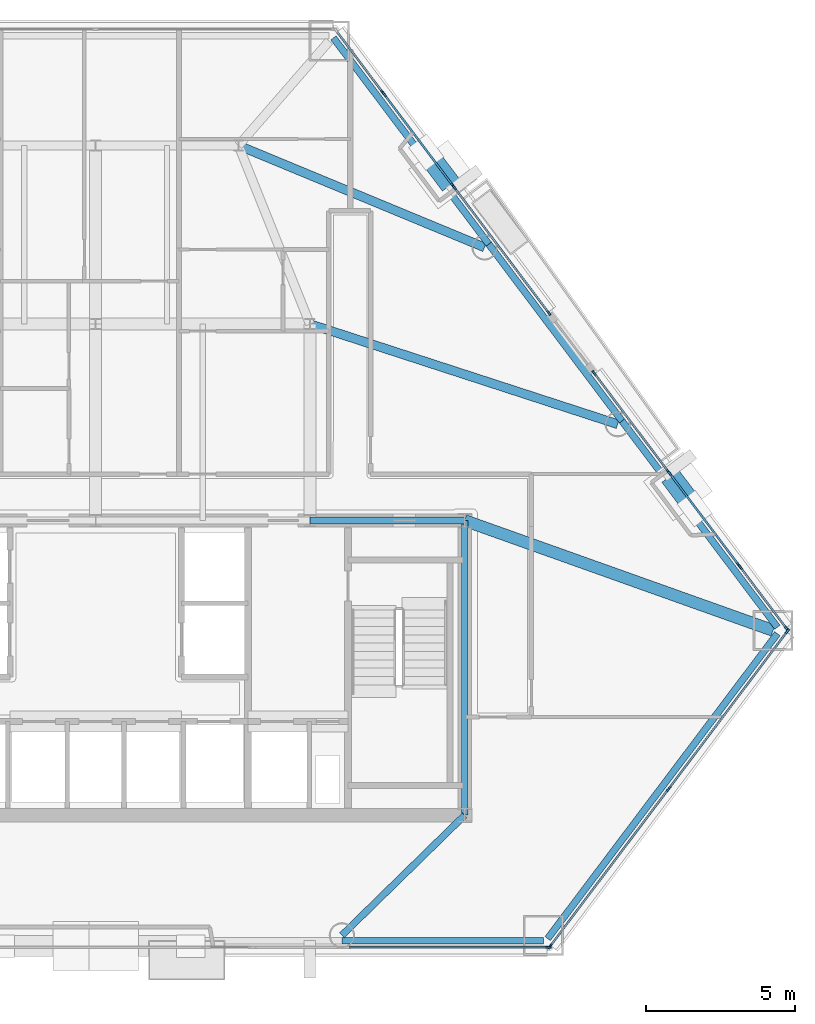
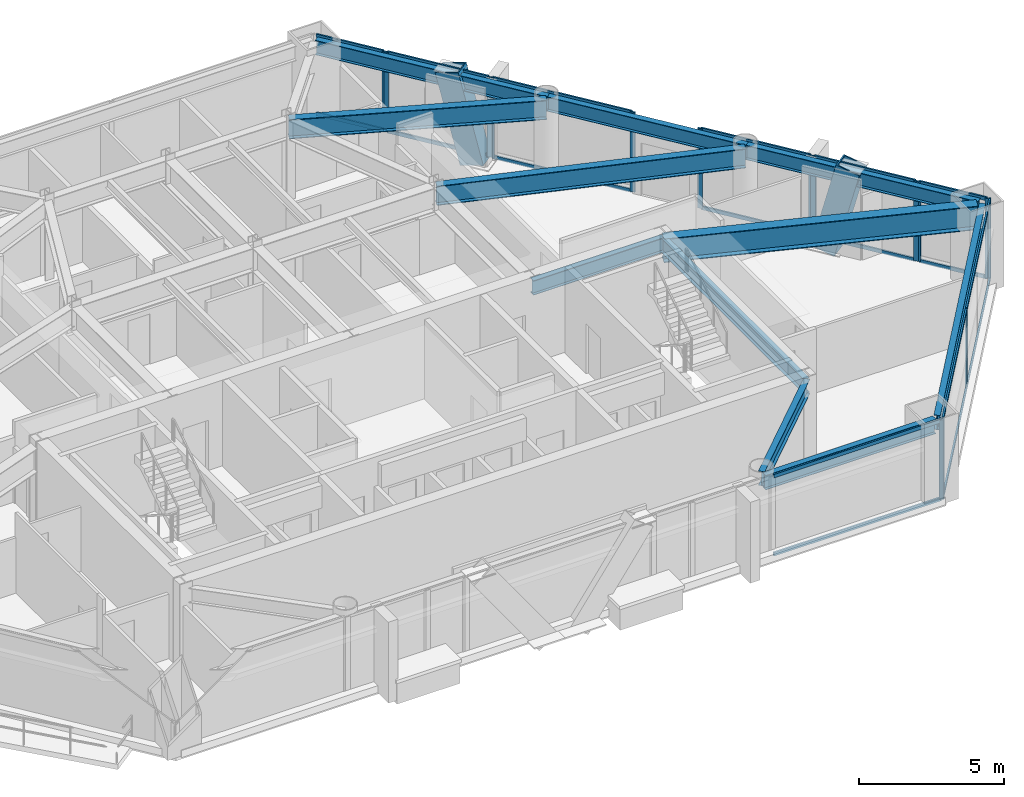
# One storey, part 4 of 11: 35 members, 11 beams, 8 elements without a shape of their own.
"""IFC4 building model written with IfcOpenShell, lengths in metres."""

import ifcopenshell
import ifcopenshell.guid

model = None  # the IFC model being written
_history = None  # IfcOwnerHistory: only IFC2X3 demands one
_inside = {}  # id of a spatial element -> (the spatial element, [elements in it])
_under = {}  # id of a project, library or spatial element -> (it, [spatial elements below it])
_declared = {}  # id of a project -> (the project, [libraries it declares])
_typed = {}  # id of a type object -> (the type object, [elements of that type])
_made_of = {}  # id of a material, layer set ... -> (it, [elements and type objects made of it])


def new_model(schema):
    """Start an empty IFC model of exactly this schema.

    Asked for "IFC4X3", IfcOpenShell would pick the latest addendum, in which some entities
    have other attributes; the version numbers below select the first issue.
    IFC2X3 requires an IfcOwnerHistory on every rooted entity: one is made here for all.
    """
    global model, _history
    if schema == "IFC4X3":
        model = ifcopenshell.file(schema_version=(4, 3, 0, 0))
    else:
        model = ifcopenshell.file(schema=schema)
    _inside.clear()
    _under.clear()
    _declared.clear()
    _typed.clear()
    _made_of.clear()
    _history = None
    if model.schema == "IFC2X3":
        org = make("IfcOrganization", Name="unknown")
        user = make(
            "IfcPersonAndOrganization",
            ThePerson=make("IfcPerson", FamilyName="unknown"),
            TheOrganization=org,
        )
        app = make(
            "IfcApplication",
            ApplicationDeveloper=org,
            Version="unknown",
            ApplicationFullName="unknown",
            ApplicationIdentifier="unknown",
        )
        _history = make(
            "IfcOwnerHistory",
            OwningUser=user,
            OwningApplication=app,
            ChangeAction="ADDED",
            CreationDate=0,
        )
    return model


def make(cls, **values):
    """One entity of the class cls with the attributes given. An attribute that is None is left unset."""
    return model.create_entity(
        cls, **{name: value for name, value in values.items() if value is not None}
    )


def rooted(cls, **values):
    """An entity with a GlobalId (a new one), such as an element, a storey or a relation."""
    return make(cls, GlobalId=ifcopenshell.guid.new(), OwnerHistory=_history, **values)


def si_unit(unit_type, name, prefix=None):
    """IfcSIUnit, for example si_unit("LENGTHUNIT", "METRE", prefix="MILLI")."""
    return make("IfcSIUnit", UnitType=unit_type, Prefix=prefix, Name=name)


def assignment(units):
    """IfcUnitAssignment: the units of a project."""
    return None if units is None else make("IfcUnitAssignment", Units=units)


def point(xyz):
    """IfcCartesianPoint."""
    return None if xyz is None else make("IfcCartesianPoint", Coordinates=xyz)


def direction(xyz):
    """IfcDirection."""
    return None if xyz is None else make("IfcDirection", DirectionRatios=xyz)


def frame(location, z_axis=None, x_axis=None):
    """IfcAxis2Placement3D, a coordinate frame: its origin and axes. An axis left out is left unset."""
    return make(
        "IfcAxis2Placement3D",
        Location=point(location),
        Axis=direction(z_axis),
        RefDirection=direction(x_axis),
    )


def frame_2d(location, x_axis=None):
    """IfcAxis2Placement2D, a coordinate frame in the plane: its origin and x axis."""
    return make(
        "IfcAxis2Placement2D", Location=point(location), RefDirection=direction(x_axis)
    )


def origin():
    """The frame at (0, 0, 0) with its axes left unset."""
    return frame((0.0, 0.0, 0.0))


def origin_2d():
    """The frame at (0, 0) in the plane with its x axis left unset."""
    return frame_2d((0.0, 0.0))


def place(relative_to, where):
    """IfcLocalPlacement: puts the frame where relative to a parent placement (None: the world)."""
    return make(
        "IfcLocalPlacement", PlacementRelTo=relative_to, RelativePlacement=where
    )


def context(
    kind, dimensions, precision=None, world=None, true_north=None, identifier=None
):
    """IfcGeometricRepresentationContext, for example the 3D "Model" context."""
    return make(
        "IfcGeometricRepresentationContext",
        ContextIdentifier=identifier,
        ContextType=kind,
        CoordinateSpaceDimension=dimensions,
        Precision=precision,
        WorldCoordinateSystem=world,
        TrueNorth=true_north,
    )


def subcontext(parent, identifier, kind, view, scale=None):
    """IfcGeometricRepresentationSubContext, for example "Body" below "Model"."""
    return make(
        "IfcGeometricRepresentationSubContext",
        ContextIdentifier=identifier,
        ContextType=kind,
        ParentContext=parent,
        TargetScale=scale,
        TargetView=view,
    )


def project(units=None, contexts=None):
    """IfcProject with its units and contexts."""
    return rooted(
        "IfcProject",
        Name="project",
        RepresentationContexts=contexts,
        UnitsInContext=assignment(units),
    )


def spatial(cls, under=None, at=None, **own):
    """A site, building, storey or space (cls), placed at a placement, below another one or the project."""
    s = rooted(cls, ObjectPlacement=at, **own)
    if under is not None:
        _under.setdefault(under.id(), (under, []))[1].append(s)
    return s


def profile(cls, at=None, kind="AREA", **sizes):
    """A parametric profile (cls). Its sizes go by their IFC names, for example OverallWidth=200.0."""
    return make(cls, ProfileType=kind, Position=at, **sizes)


def rectangle(**sizes):
    """IfcRectangleProfileDef."""
    return profile("IfcRectangleProfileDef", **sizes)


def hollow_rectangle(**sizes):
    """IfcRectangleHollowProfileDef."""
    return profile("IfcRectangleHollowProfileDef", **sizes)


def i_section(**sizes):
    """IfcIShapeProfileDef."""
    return profile("IfcIShapeProfileDef", **sizes)


def extrude(swept, where, along, depth):
    """IfcExtrudedAreaSolid: the profile swept, set in the frame where, extruded along a direction by depth."""
    return make(
        "IfcExtrudedAreaSolid",
        SweptArea=swept,
        Position=where,
        ExtrudedDirection=direction(along),
        Depth=depth,
    )


def shape(context_of_items, identifier, shape_type, items):
    """IfcShapeRepresentation: the items that make up one representation, for example the "Body"."""
    return make(
        "IfcShapeRepresentation",
        ContextOfItems=context_of_items,
        RepresentationIdentifier=identifier,
        RepresentationType=shape_type,
        Items=items,
    )


def material(Name=None, Category=None):
    """IfcMaterial."""
    return make("IfcMaterial", Name=Name, Category=Category)


def layer(
    of_material, thickness, ventilated=None, Name=None, Category=None, Priority=None
):
    """IfcMaterialLayer: one layer of a wall or slab, of a material (None: an air gap)."""
    return make(
        "IfcMaterialLayer",
        Material=of_material,
        LayerThickness=thickness,
        IsVentilated=ventilated,
        Name=Name,
        Category=Category,
        Priority=Priority,
    )


def layer_set(layers, Name=None):
    """IfcMaterialLayerSet."""
    return make("IfcMaterialLayerSet", MaterialLayers=layers, LayerSetName=Name)


def material_profile(
    of_material, cross_section, Name=None, Category=None, Priority=None
):
    """IfcMaterialProfile: a cross section and its material."""
    return make(
        "IfcMaterialProfile",
        Name=Name,
        Material=of_material,
        Profile=cross_section,
        Priority=Priority,
        Category=Category,
    )


def profile_set(profiles, Name=None, composite=None):
    """IfcMaterialProfileSet."""
    return make(
        "IfcMaterialProfileSet",
        Name=Name,
        MaterialProfiles=profiles,
        CompositeProfile=composite,
    )


def made_of(thing, what):
    """Note that an element or type object is made of a material, layer set ...; save() writes the relation."""
    if what is not None:
        _made_of.setdefault(what.id(), (what, []))[1].append(thing)
    return thing


def type_object(cls, material=None, **own):
    """A type object (cls), such as IfcWallType, which elements share."""
    return made_of(rooted(cls, **own), material)


def element(
    cls,
    number,
    at=None,
    inside=None,
    cuts=None,
    type_object=None,
    material=None,
    context=None,
    identifier="Body",
    shape_type=None,
    held_by="IfcProductDefinitionShape",
    body=None,
    shapes=None,
    **own,
):
    """One element of the class cls, such as IfcWall. Its Tag is "e" and its number.

    at: its placement. inside: the storey or other place that contains it. cuts: it is an
    opening in that element (IfcRelVoidsElement). A single representation is given by context,
    identifier, shape_type and body (its items); several are given by shapes. held_by: the class
    of the entity that holds the representations. save() writes the other relations.
    """
    e = rooted(cls, Tag="e%d" % number, ObjectPlacement=at, **own)
    if body is not None:
        shapes = [shape(context, identifier, shape_type, body)]
    if shapes is not None:
        e.Representation = make(held_by, Representations=shapes)
    if inside is not None:
        _inside.setdefault(inside.id(), (inside, []))[1].append(e)
    if cuts is not None:
        rooted(
            "IfcRelVoidsElement", RelatingBuildingElement=cuts, RelatedOpeningElement=e
        )
    if type_object is not None:
        _typed.setdefault(type_object.id(), (type_object, []))[1].append(e)
    return made_of(e, material)


def aggregate(whole, parts):
    """IfcRelAggregates: a whole, such as a stair, and the parts it consists of."""
    return rooted("IfcRelAggregates", RelatingObject=whole, RelatedObjects=parts)


def save(model, path):
    """Write the relations noted so far, then the file.

    IfcRelAggregates (storeys below a building ...), IfcRelContainedInSpatialStructure (elements
    in a storey), IfcRelDefinesByType, IfcRelAssociatesMaterial and IfcRelDeclares: one each for
    every whole, place, type object, material and project.
    """
    for whole, parts in _under.values():
        aggregate(whole, parts)
    for where, things in _inside.values():
        rooted(
            "IfcRelContainedInSpatialStructure",
            RelatedElements=things,
            RelatingStructure=where,
        )
    for kind, things in _typed.values():
        rooted("IfcRelDefinesByType", RelatedObjects=things, RelatingType=kind)
    for what, things in _made_of.values():
        rooted("IfcRelAssociatesMaterial", RelatedObjects=things, RelatingMaterial=what)
    for by, libraries in _declared.values():
        rooted("IfcRelDeclares", RelatingContext=by, RelatedDefinitions=libraries)
    model.write(path)


model = new_model("IFC4")

# Units and contexts
model_context = context("Model", 3, precision=1e-05, world=origin(), true_north=direction((0.0, 1.0)))
body_context = subcontext(model_context, "Body", "Model", "MODEL_VIEW")
ifc_project = project(units=[si_unit("LENGTHUNIT", "METRE"), si_unit("AREAUNIT", "SQUARE_METRE"), si_unit("VOLUMEUNIT", "CUBIC_METRE"), si_unit("PLANEANGLEUNIT", "RADIAN"), si_unit("MASSUNIT", "GRAM", prefix="KILO")], contexts=[model_context])

# Site, building, storey
site_placement = place(None, origin())
site = spatial("IfcSite", under=ifc_project, at=site_placement, CompositionType="ELEMENT")
building_placement = place(site_placement, origin())
building = spatial("IfcBuilding", under=site, at=building_placement, Name="Talgorran Terracotta Tower", CompositionType="ELEMENT")
storey_placement = place(building_placement, frame((0.0, 0.0, 38.699951171875)))
storey = spatial("IfcBuildingStorey", under=building, at=storey_placement, Name="L09", CompositionType="ELEMENT", Elevation=38.699951171875)

# Beams
ifc_material_1 = material(Name="Steel Grade 350 (350L0)", Category="steel")
ifc_material_profile_1 = material_profile(ifc_material_1, i_section(OverallWidth=0.39990234375, OverallDepth=1.0, WebThickness=0.01611328125, FlangeThickness=0.031005859375, at=origin_2d()), Name="1000WB296")
ifc_profile_set_1 = profile_set([ifc_material_profile_1], Name="Steel Grade 350 (350L0)")
beam_type_1 = type_object("IfcBeamType", Name="BM_1000WB296", PredefinedType="BEAM", material=ifc_profile_set_1)
beam_1_placement = place(storey_placement, frame((12.39990234375, -4.199951171875, 2.85009765625), z_axis=(0.941952171634, -0.335747086889, 0.0), x_axis=(0.335747086889, 0.941952171634, 0.0)))
element("IfcBeam", 1, at=beam_1_placement, inside=storey, type_object=beam_type_1, Name="L09 Floor Girder G18", PredefinedType="BEAM", context=body_context, shape_type="SweptSolid", body=[
    extrude(i_section(OverallWidth=0.39990234375, OverallDepth=1.0, WebThickness=0.01611328125, FlangeThickness=0.031005859375, at=origin_2d()), origin(), (0.0, 0.0, 1.0), 10.99755859375),
])
ifc_material_2 = material(Name="Steel S355 (300PLUS)", Category="steel")
ifc_material_profile_2 = material_profile(ifc_material_2, i_section(OverallWidth=0.300048828125, OverallDepth=0.81591796875, WebThickness=0.013916015625, FlangeThickness=0.028076171875, at=origin_2d()), Name="800WB192")
ifc_profile_set_2 = profile_set([ifc_material_profile_2], Name="Steel S355 (300PLUS)")
beam_type_2 = type_object("IfcBeamType", Name="BM_800WB192", PredefinedType="BEAM", material=ifc_profile_set_2)
beam_2_placement = place(storey_placement, frame((7.199951171875, 2.39990234375, 2.942138671875), z_axis=(0.950964080861, -0.309301336746, 0.0), x_axis=(0.309301336746, 0.950964080861, 0.0)))
element("IfcBeam", 2, at=beam_2_placement, inside=storey, type_object=beam_type_2, Name="L09 Floor Girder G07", PredefinedType="BEAM", context=body_context, shape_type="SweptSolid", body=[
    extrude(i_section(OverallWidth=0.300048828125, OverallDepth=0.81591796875, WebThickness=0.013916015625, FlangeThickness=0.028076171875, at=origin_2d()), origin(), (0.0, 0.0, 1.0), 10.873046875),
])
beam_3_placement = place(storey_placement, frame((4.800048828125, 8.39990234375, 2.942138671875), z_axis=(0.923897446569, -0.382640181141, 0.0), x_axis=(0.382640181141, 0.923897446569, 0.0)))
element("IfcBeam", 3, at=beam_3_placement, inside=storey, type_object=beam_type_2, Name="L09 Floor Girder G14", PredefinedType="BEAM", context=body_context, shape_type="SweptSolid", body=[
    extrude(i_section(OverallWidth=0.300048828125, OverallDepth=0.81591796875, WebThickness=0.013916015625, FlangeThickness=0.028076171875, at=origin_2d()), origin(), (0.0, 0.0, 1.0), 8.947265625),
])
ifc_material_profile_3 = material_profile(ifc_material_2, i_section(OverallWidth=0.22900390625, OverallDepth=0.611572265625, WebThickness=0.011962890625, FlangeThickness=0.01953125, at=origin_2d()), Name="610UB125")
ifc_profile_set_3 = profile_set([ifc_material_profile_3], Name="Steel S355 (300PLUS)")
beam_type_3 = type_object("IfcBeamType", Name="BM_SP_610UB125", PredefinedType="SPANDREL", material=ifc_profile_set_3)
beam_4_placement = place(storey_placement, frame((8.274169921875, -18.315673828125, 3.044189453125), z_axis=(1.0, 0.0, 0.0), x_axis=(0.0, 1.0, 0.0)))
element("IfcBeam", 4, at=beam_4_placement, inside=storey, type_object=beam_type_3, Name="L09 Perimeter Spandrel Beam FC2-MC3", PredefinedType="SPANDREL", context=body_context, shape_type="SweptSolid", body=[
    extrude(i_section(OverallWidth=0.22900390625, OverallDepth=0.611572265625, WebThickness=0.011962890625, FlangeThickness=0.01953125, at=origin_2d()), origin(), (0.0, 0.0, 1.0), 6.769775390625),
])
beam_5_placement = place(storey_placement, frame((15.187744140625, -18.243896484375, 3.044189453125), z_axis=(0.601631480878, 0.79877378601, 0.0), x_axis=(-0.79877378601, 0.601631480878, 0.0)))
element("IfcBeam", 5, at=beam_5_placement, inside=storey, type_object=beam_type_3, Name="L09 Perimeter Spandrel Beam MC3-MC4", PredefinedType="SPANDREL", context=body_context, shape_type="SweptSolid", body=[
    extrude(i_section(OverallWidth=0.22900390625, OverallDepth=0.611572265625, WebThickness=0.011962890625, FlangeThickness=0.01953125, at=origin_2d()), origin(), (0.0, 0.0, 1.0), 12.82373046875),
])
beam_6_placement = place(storey_placement, frame((22.90283203125, -7.7841796875, 3.044189453125), z_axis=(-0.601633271951, 0.798772436981, 0.0), x_axis=(-0.798772436981, -0.601633271951, 0.0)))
element("IfcBeam", 6, at=beam_6_placement, inside=storey, type_object=beam_type_3, Name="L09 Perimeter Spandrel Beam MC4-FC3", PredefinedType="SPANDREL", context=body_context, shape_type="SweptSolid", body=[
    extrude(i_section(OverallWidth=0.22900390625, OverallDepth=0.611572265625, WebThickness=0.011962890625, FlangeThickness=0.01953125, at=origin_2d()), origin(), (0.0, 0.0, 1.0), 8.675048828125),
])
beam_7_placement = place(storey_placement, frame((17.68359375, -0.854736328125, 3.044189453125), z_axis=(-0.601616830796, 0.79878482015, 0.0), x_axis=(-0.79878482015, -0.601616830796, 0.0)))
element("IfcBeam", 7, at=beam_7_placement, inside=storey, type_object=beam_type_3, Name="L09 Perimeter Spandrel Beam FC3-FC4", PredefinedType="SPANDREL", context=body_context, shape_type="SweptSolid", body=[
    extrude(i_section(OverallWidth=0.22900390625, OverallDepth=0.611572265625, WebThickness=0.011962890625, FlangeThickness=0.01953125, at=origin_2d()), origin(), (0.0, 0.0, 1.0), 7.435546875),
])
beam_8_placement = place(storey_placement, frame((13.210205078125, 5.084716796875, 3.044189453125), z_axis=(-0.601628840165, 0.798775774972, 0.0), x_axis=(-0.798775774972, -0.601628840165, 0.0)))
element("IfcBeam", 8, at=beam_8_placement, inside=storey, type_object=beam_type_3, Name="L09 Perimeter Spandrel Beam FC4-MC5", PredefinedType="SPANDREL", context=body_context, shape_type="SweptSolid", body=[
    extrude(i_section(OverallWidth=0.22900390625, OverallDepth=0.611572265625, WebThickness=0.011962890625, FlangeThickness=0.01953125, at=origin_2d()), origin(), (0.0, 0.0, 1.0), 8.6748046875),
])
beam_9_placement = place(storey_placement, frame((12.39990234375, -14.10009765625, 3.044189453125), z_axis=(-0.714889648405, -0.699237292058, 0.0), x_axis=(0.699237292058, -0.714889648405, 0.0)))
element("IfcBeam", 9, at=beam_9_placement, inside=storey, type_object=beam_type_3, Name="L09 South-East Core Tie Beam", PredefinedType="SPANDREL", context=body_context, shape_type="SweptSolid", body=[
    extrude(i_section(OverallWidth=0.22900390625, OverallDepth=0.611572265625, WebThickness=0.011962890625, FlangeThickness=0.01953125, at=origin_2d()), origin(), (0.0, 0.0, 1.0), 5.771240234375),
])
beam_10_placement = place(storey_placement, frame((12.39990234375, -14.10009765625, 3.044189453125), z_axis=(0.0, 1.0, 0.0), x_axis=(-1.0, 0.0, 0.0)))
element("IfcBeam", 10, at=beam_10_placement, inside=storey, type_object=beam_type_3, Name="L09 Core Frame Beam CFE", PredefinedType="SPANDREL", context=body_context, shape_type="SweptSolid", body=[
    extrude(i_section(OverallWidth=0.22900390625, OverallDepth=0.611572265625, WebThickness=0.011962890625, FlangeThickness=0.01953125, at=origin_2d()), origin(), (0.0, 0.0, 1.0), 9.900146484375),
])
beam_11_placement = place(storey_placement, frame((7.199951171875, -4.199951171875, 3.044189453125), z_axis=(1.0, 0.0, 0.0), x_axis=(0.0, 1.0, 0.0)))
element("IfcBeam", 11, at=beam_11_placement, inside=storey, type_object=beam_type_3, Name="L09 Core Frame Beam CFN4", PredefinedType="SPANDREL", context=body_context, shape_type="SweptSolid", body=[
    extrude(i_section(OverallWidth=0.22900390625, OverallDepth=0.611572265625, WebThickness=0.011962890625, FlangeThickness=0.01953125, at=origin_2d()), origin(), (0.0, 0.0, 1.0), 5.199951171875),
])

# Members
ifc_material_profile_4 = material_profile(ifc_material_1, hollow_rectangle(XDim=0.699951171875, YDim=0.89990234375, WallThickness=0.050048828125, at=origin_2d()), Name="WBOX900X700X50")
ifc_profile_set_4 = profile_set([ifc_material_profile_4], Name="Steel Grade 350 (350L0)")
member_type_1 = type_object("IfcMemberType", Name="MB_MEGA_900", PredefinedType="BRACE", material=ifc_profile_set_4)
for number, where, z_axis, x_axis, name in (
    (12, (19.56591796875, -3.054443359375, -0.27001953125), (0.149298373035, -0.198221003747, 0.968719995397), (0.798774681466, 0.601630291998, 0.0), "L09 Exterior Face Mega-Brace MB-1 (NEL)"),
    (13, (11.6708984375, 7.427734375, -0.27001953125), (-0.149361809971, 0.198219083172, 0.968710609413), (-0.798649032494, -0.60179707784, 0.0), "L09 Exterior Face Mega-Brace MB-1 (NEU)"),
):
    element("IfcMember", number, at=place(storey_placement, frame(where, z_axis=z_axis, x_axis=x_axis)), inside=storey, type_object=member_type_1, Name=name, PredefinedType="BRACE", context=body_context, shape_type="SweptSolid", body=[
        extrude(hollow_rectangle(XDim=0.699951171875, YDim=0.89990234375, WallThickness=0.050048828125, at=origin_2d()), origin(), (0.0, 0.0, 1.0), 3.7626953125),
    ])

# Curtain wall, member
ifc_material_3 = material(Name="Unitised Low-E Double Glazing", Category="glass")
ifc_layer = layer(ifc_material_3, 0.199951171875, Name="CW_SYS2_RES_LOW")
ifc_layer_set = layer_set([ifc_layer], Name="Unitised Low-E Double Glazing")
curtain_wall_type = type_object("IfcCurtainWallType", Name="CW_SYS2_RES_LOW", PredefinedType="NOTDEFINED", material=ifc_layer_set)
curtain_wall_1_placement = place(storey_placement, origin())
curtain_wall_1 = element("IfcCurtainWall", 14, at=curtain_wall_1_placement, inside=storey, type_object=curtain_wall_type, Name="CW-L09-F1G", PredefinedType="NOTDEFINED")
ifc_material_4 = material(Name="Architectural Aluminium 6063-T6", Category="aluminium")
ifc_material_profile_5 = material_profile(ifc_material_4, rectangle(XDim=0.06494140625, YDim=0.18505859375, at=origin_2d()), Name="CWM65X185")
ifc_profile_set_5 = profile_set([ifc_material_profile_5], Name="Architectural Aluminium 6063-T6")
member_type_2 = type_object("IfcMemberType", Name="MUL_65X185", PredefinedType="MULLION", material=ifc_profile_set_5)
member_1_placement = place(storey_placement, frame((15.2109375, -18.53564453125, 0.0), z_axis=(0.0, 0.0, 1.0), x_axis=(0.0, 1.0, 0.0)))
member_1 = element("IfcMember", 15, at=member_1_placement, type_object=member_type_2, Name="CW-L09-1G mullion 2", PredefinedType="MULLION", context=body_context, shape_type="SweptSolid", body=[
    extrude(rectangle(XDim=0.06494140625, YDim=0.18505859375, at=origin_2d()), origin(), (0.0, 0.0, 1.0), 3.35009765625),
])

# Curtain wall, members
curtain_wall_2_placement = place(storey_placement, origin())
curtain_wall_2 = element("IfcCurtainWall", 16, at=curtain_wall_2_placement, inside=storey, type_object=curtain_wall_type, Name="CW-L09-F2", PredefinedType="NOTDEFINED")
member_2_placement = place(storey_placement, frame((15.262939453125, -18.509521484375, 0.0), z_axis=(0.0, 0.0, 1.0), x_axis=(-0.798773515054, 0.60163184062, 0.0)))
member_2 = element("IfcMember", 17, at=member_2_placement, type_object=member_type_2, Name="CW-L09-2 mullion 1", PredefinedType="MULLION", context=body_context, shape_type="SweptSolid", body=[
    extrude(rectangle(XDim=0.06494140625, YDim=0.18505859375, at=origin_2d()), origin(), (0.0, 0.0, 1.0), 3.35009765625),
])
member_3_placement = place(storey_placement, frame((19.251708984375, -13.214111328125, 0.0), z_axis=(0.0, 0.0, 1.0), x_axis=(-0.798773515054, 0.60163184062, 0.0)))
member_3 = element("IfcMember", 18, at=member_3_placement, type_object=member_type_2, Name="CW-L09-2 mullion 2", PredefinedType="MULLION", context=body_context, shape_type="SweptSolid", body=[
    extrude(rectangle(XDim=0.06494140625, YDim=0.18505859375, at=origin_2d()), origin(), (0.0, 0.0, 1.0), 3.35009765625),
])
member_4_placement = place(storey_placement, frame((23.240234375, -7.91845703125, 0.0), z_axis=(0.0, 0.0, 1.0), x_axis=(-0.798773515054, 0.60163184062, 0.0)))
member_4 = element("IfcMember", 19, at=member_4_placement, type_object=member_type_2, Name="CW-L09-2 mullion 3", PredefinedType="MULLION", context=body_context, shape_type="SweptSolid", body=[
    extrude(rectangle(XDim=0.06494140625, YDim=0.18505859375, at=origin_2d()), origin(), (0.0, 0.0, 1.0), 3.35009765625),
])

curtain_wall_3_placement = place(storey_placement, origin())
curtain_wall_3 = element("IfcCurtainWall", 20, at=curtain_wall_3_placement, inside=storey, type_object=curtain_wall_type, Name="CW-L09-F40", PredefinedType="NOTDEFINED")
member_5_placement = place(storey_placement, frame((23.216064453125, -7.83447265625, 0.0), z_axis=(0.0, 0.0, 1.0), x_axis=(-0.798783302571, -0.601618845727, 0.0)))
member_5 = element("IfcMember", 21, at=member_5_placement, type_object=member_type_2, Name="CW-L09-40 mullion 1", PredefinedType="MULLION", context=body_context, shape_type="SweptSolid", body=[
    extrude(rectangle(XDim=0.06494140625, YDim=0.18505859375, at=origin_2d()), origin(), (0.0, 0.0, 1.0), 3.35009765625),
])
member_6_placement = place(storey_placement, frame((21.656982421875, -5.76416015625, 0.0), z_axis=(0.0, 0.0, 1.0), x_axis=(-0.798783302571, -0.601618845727, 0.0)))
member_6 = element("IfcMember", 22, at=member_6_placement, type_object=member_type_2, Name="CW-L09-40 mullion 2", PredefinedType="MULLION", context=body_context, shape_type="SweptSolid", body=[
    extrude(rectangle(XDim=0.06494140625, YDim=0.18505859375, at=origin_2d()), origin(), (0.0, 0.0, 1.0), 3.35009765625),
])

curtain_wall_4_placement = place(storey_placement, origin())
curtain_wall_4 = element("IfcCurtainWall", 23, at=curtain_wall_4_placement, inside=storey, type_object=curtain_wall_type, Name="CW-L09-F40B", PredefinedType="NOTDEFINED")
member_7_placement = place(storey_placement, frame((21.61181640625, -5.704345703125, 0.0), z_axis=(0.0, 0.0, 1.0), x_axis=(-0.798774003378, -0.601631192283, 0.0)))
member_7 = element("IfcMember", 24, at=member_7_placement, type_object=member_type_2, Name="CW-L09-40B mullion 1", PredefinedType="MULLION", context=body_context, shape_type="SweptSolid", body=[
    extrude(rectangle(XDim=0.06494140625, YDim=0.18505859375, at=origin_2d()), origin(), (0.0, 0.0, 1.0), 3.35009765625),
])
member_8_placement = place(storey_placement, frame((19.292236328125, -2.624755859375, 0.0), z_axis=(0.0, 0.0, 1.0), x_axis=(-0.798774003378, -0.601631192283, 0.0)))
member_8 = element("IfcMember", 25, at=member_8_placement, type_object=member_type_2, Name="CW-L09-40B mullion 2", PredefinedType="MULLION", context=body_context, shape_type="SweptSolid", body=[
    extrude(rectangle(XDim=0.06494140625, YDim=0.18505859375, at=origin_2d()), origin(), (0.0, 0.0, 1.0), 3.35009765625),
])

curtain_wall_5_placement = place(storey_placement, origin())
curtain_wall_5 = element("IfcCurtainWall", 26, at=curtain_wall_5_placement, inside=storey, type_object=curtain_wall_type, Name="CW-L09-F40C", PredefinedType="NOTDEFINED")
member_9_placement = place(storey_placement, frame((19.2470703125, -2.564697265625, 0.0), z_axis=(0.0, 0.0, 1.0), x_axis=(-0.798781994492, -0.601620582489, 0.0)))
member_9 = element("IfcMember", 27, at=member_9_placement, type_object=member_type_2, Name="CW-L09-40C mullion 1", PredefinedType="MULLION", context=body_context, shape_type="SweptSolid", body=[
    extrude(rectangle(XDim=0.06494140625, YDim=0.18505859375, at=origin_2d()), origin(), (0.0, 0.0, 1.0), 3.35009765625),
])
member_10_placement = place(storey_placement, frame((16.745849609375, 0.756103515625, 0.0), z_axis=(0.0, 0.0, 1.0), x_axis=(-0.798781994492, -0.601620582489, 0.0)))
member_10 = element("IfcMember", 28, at=member_10_placement, type_object=member_type_2, Name="CW-L09-40C mullion 2", PredefinedType="MULLION", context=body_context, shape_type="SweptSolid", body=[
    extrude(rectangle(XDim=0.06494140625, YDim=0.18505859375, at=origin_2d()), origin(), (0.0, 0.0, 1.0), 3.35009765625),
])

curtain_wall_6_placement = place(storey_placement, origin())
curtain_wall_6 = element("IfcCurtainWall", 29, at=curtain_wall_6_placement, inside=storey, type_object=curtain_wall_type, Name="CW-L09-F41", PredefinedType="NOTDEFINED")
member_11_placement = place(storey_placement, frame((15.226806640625, 2.77294921875, 0.0), z_axis=(0.0, 0.0, 1.0), x_axis=(-0.798778013427, -0.601625868181, 0.0)))
member_11 = element("IfcMember", 30, at=member_11_placement, type_object=member_type_2, Name="CW-L09-41 mullion 1", PredefinedType="MULLION", context=body_context, shape_type="SweptSolid", body=[
    extrude(rectangle(XDim=0.06494140625, YDim=0.18505859375, at=origin_2d()), origin(), (0.0, 0.0, 1.0), 3.35009765625),
])
member_12_placement = place(storey_placement, frame((12.053466796875, 6.986328125, 0.0), z_axis=(0.0, 0.0, 1.0), x_axis=(-0.798778013427, -0.601625868181, 0.0)))
member_12 = element("IfcMember", 31, at=member_12_placement, type_object=member_type_2, Name="CW-L09-41 mullion 2", PredefinedType="MULLION", context=body_context, shape_type="SweptSolid", body=[
    extrude(rectangle(XDim=0.06494140625, YDim=0.18505859375, at=origin_2d()), origin(), (0.0, 0.0, 1.0), 3.35009765625),
])

curtain_wall_7_placement = place(storey_placement, origin())
curtain_wall_7 = element("IfcCurtainWall", 32, at=curtain_wall_7_placement, inside=storey, type_object=curtain_wall_type, Name="CW-L09-F41B", PredefinedType="NOTDEFINED")
member_13_placement = place(storey_placement, frame((12.00830078125, 7.046142578125, 0.0), z_axis=(0.0, 0.0, 1.0), x_axis=(-0.798774003378, -0.601631192283, 0.0)))
member_13 = element("IfcMember", 33, at=member_13_placement, type_object=member_type_2, Name="CW-L09-41B mullion 1", PredefinedType="MULLION", context=body_context, shape_type="SweptSolid", body=[
    extrude(rectangle(XDim=0.06494140625, YDim=0.18505859375, at=origin_2d()), origin(), (0.0, 0.0, 1.0), 3.35009765625),
])
member_14_placement = place(storey_placement, frame((9.688720703125, 10.125732421875, 0.0), z_axis=(0.0, 0.0, 1.0), x_axis=(-0.798774003378, -0.601631192283, 0.0)))
member_14 = element("IfcMember", 34, at=member_14_placement, type_object=member_type_2, Name="CW-L09-41B mullion 2", PredefinedType="MULLION", context=body_context, shape_type="SweptSolid", body=[
    extrude(rectangle(XDim=0.06494140625, YDim=0.18505859375, at=origin_2d()), origin(), (0.0, 0.0, 1.0), 3.35009765625),
])

# Curtain wall, member
curtain_wall_8_placement = place(storey_placement, origin())
curtain_wall_8 = element("IfcCurtainWall", 35, at=curtain_wall_8_placement, inside=storey, type_object=curtain_wall_type, Name="CW-L09-F41C", PredefinedType="NOTDEFINED")
member_15_placement = place(storey_placement, frame((9.6435546875, 10.185791015625, 0.0), z_axis=(0.0, 0.0, 1.0), x_axis=(-0.798787663306, -0.601613055834, 0.0)))
member_15 = element("IfcMember", 36, at=member_15_placement, type_object=member_type_2, Name="CW-L09-41C mullion 1", PredefinedType="MULLION", context=body_context, shape_type="SweptSolid", body=[
    extrude(rectangle(XDim=0.06494140625, YDim=0.18505859375, at=origin_2d()), origin(), (0.0, 0.0, 1.0), 3.35009765625),
])

# Member
ifc_material_profile_6 = material_profile(ifc_material_4, rectangle(XDim=0.06494140625, YDim=0.14990234375, at=origin_2d()), Name="CWT65X150")
ifc_profile_set_6 = profile_set([ifc_material_profile_6], Name="Architectural Aluminium 6063-T6")
member_type_3 = type_object("IfcMemberType", Name="TRN_65X150", PredefinedType="USERDEFINED", material=ifc_profile_set_6)
member_16_placement = place(storey_placement, frame((8.517578125, -18.53564453125, 0.032470703125), z_axis=(1.0, 0.0, 0.0), x_axis=(0.0, 1.0, 0.0)))
member_16 = element("IfcMember", 37, at=member_16_placement, type_object=member_type_3, Name="CW-L09-1G transom 1.1", ObjectType="TRANSOM", PredefinedType="USERDEFINED", context=body_context, shape_type="SweptSolid", body=[
    extrude(rectangle(XDim=0.06494140625, YDim=0.14990234375, at=origin_2d()), origin(), (0.0, 0.0, 1.0), 6.660888671875),
])

member_17_placement = place(storey_placement, frame((8.517578125, -18.53564453125, 3.317626953125), z_axis=(1.0, 0.0, 0.0), x_axis=(0.0, 1.0, 0.0)))
member_17 = element("IfcMember", 38, at=member_17_placement, type_object=member_type_3, Name="CW-L09-1G transom 1.2", ObjectType="TRANSOM", PredefinedType="USERDEFINED", context=body_context, shape_type="SweptSolid", body=[
    extrude(rectangle(XDim=0.06494140625, YDim=0.14990234375, at=origin_2d()), origin(), (0.0, 0.0, 1.0), 6.660888671875),
])

aggregate(curtain_wall_1, [member_1, member_16, member_17])

member_18_placement = place(storey_placement, frame((15.282470703125, -18.483642578125, 0.032470703125), z_axis=(0.601629181278, 0.798775518049, 0.0), x_axis=(-0.798775518049, 0.601629181278, 0.0)))
member_18 = element("IfcMember", 39, at=member_18_placement, type_object=member_type_3, Name="CW-L09-2 transom 1.1", ObjectType="TRANSOM", PredefinedType="USERDEFINED", context=body_context, shape_type="SweptSolid", body=[
    extrude(rectangle(XDim=0.06494140625, YDim=0.14990234375, at=origin_2d()), origin(), (0.0, 0.0, 1.0), 6.564697265625),
])

member_19_placement = place(storey_placement, frame((15.282470703125, -18.483642578125, 3.317626953125), z_axis=(0.601629181278, 0.798775518049, 0.0), x_axis=(-0.798775518049, 0.601629181278, 0.0)))
member_19 = element("IfcMember", 40, at=member_19_placement, type_object=member_type_3, Name="CW-L09-2 transom 1.2", ObjectType="TRANSOM", PredefinedType="USERDEFINED", context=body_context, shape_type="SweptSolid", body=[
    extrude(rectangle(XDim=0.06494140625, YDim=0.14990234375, at=origin_2d()), origin(), (0.0, 0.0, 1.0), 6.564697265625),
])

member_20_placement = place(storey_placement, frame((19.271240234375, -13.18798828125, 0.032470703125), z_axis=(0.601629181278, 0.798775518049, 0.0), x_axis=(-0.798775518049, 0.601629181278, 0.0)))
member_20 = element("IfcMember", 41, at=member_20_placement, type_object=member_type_3, Name="CW-L09-2 transom 2.1", ObjectType="TRANSOM", PredefinedType="USERDEFINED", context=body_context, shape_type="SweptSolid", body=[
    extrude(rectangle(XDim=0.06494140625, YDim=0.14990234375, at=origin_2d()), origin(), (0.0, 0.0, 1.0), 6.564697265625),
])

member_21_placement = place(storey_placement, frame((19.271240234375, -13.18798828125, 3.317626953125), z_axis=(0.601629181278, 0.798775518049, 0.0), x_axis=(-0.798775518049, 0.601629181278, 0.0)))
member_21 = element("IfcMember", 42, at=member_21_placement, type_object=member_type_3, Name="CW-L09-2 transom 2.2", ObjectType="TRANSOM", PredefinedType="USERDEFINED", context=body_context, shape_type="SweptSolid", body=[
    extrude(rectangle(XDim=0.06494140625, YDim=0.14990234375, at=origin_2d()), origin(), (0.0, 0.0, 1.0), 6.564697265625),
])

aggregate(curtain_wall_2, [member_2, member_3, member_4, member_18, member_19, member_20, member_21])

member_22_placement = place(storey_placement, frame((23.196533203125, -7.80859375, 0.032470703125), z_axis=(-0.601591201846, 0.798804122336, 0.0), x_axis=(-0.798804122336, -0.601591201846, 0.0)))
member_22 = element("IfcMember", 43, at=member_22_placement, type_object=member_type_3, Name="CW-L09-40 transom 1.1", ObjectType="TRANSOM", PredefinedType="USERDEFINED", context=body_context, shape_type="SweptSolid", body=[
    extrude(rectangle(XDim=0.06494140625, YDim=0.14990234375, at=origin_2d()), origin(), (0.0, 0.0, 1.0), 2.526611328125),
])

member_23_placement = place(storey_placement, frame((23.196533203125, -7.80859375, 3.317626953125), z_axis=(-0.601591201846, 0.798804122336, 0.0), x_axis=(-0.798804122336, -0.601591201846, 0.0)))
member_23 = element("IfcMember", 44, at=member_23_placement, type_object=member_type_3, Name="CW-L09-40 transom 1.2", ObjectType="TRANSOM", PredefinedType="USERDEFINED", context=body_context, shape_type="SweptSolid", body=[
    extrude(rectangle(XDim=0.06494140625, YDim=0.14990234375, at=origin_2d()), origin(), (0.0, 0.0, 1.0), 2.526611328125),
])

aggregate(curtain_wall_3, [member_5, member_6, member_22, member_23])

member_24_placement = place(storey_placement, frame((21.59228515625, -5.678466796875, 0.032470703125), z_axis=(-0.601626969468, 0.798777183956, 0.0), x_axis=(-0.798777183956, -0.601626969468, 0.0)))
member_24 = element("IfcMember", 45, at=member_24_placement, type_object=member_type_3, Name="CW-L09-40B transom 1.1", ObjectType="TRANSOM", PredefinedType="USERDEFINED", context=body_context, shape_type="SweptSolid", body=[
    extrude(rectangle(XDim=0.06494140625, YDim=0.14990234375, at=origin_2d()), origin(), (0.0, 0.0, 1.0), 3.79052734375),
])

member_25_placement = place(storey_placement, frame((21.59228515625, -5.678466796875, 3.317626953125), z_axis=(-0.601626969468, 0.798777183956, 0.0), x_axis=(-0.798777183956, -0.601626969468, 0.0)))
member_25 = element("IfcMember", 46, at=member_25_placement, type_object=member_type_3, Name="CW-L09-40B transom 1.2", ObjectType="TRANSOM", PredefinedType="USERDEFINED", context=body_context, shape_type="SweptSolid", body=[
    extrude(rectangle(XDim=0.06494140625, YDim=0.14990234375, at=origin_2d()), origin(), (0.0, 0.0, 1.0), 3.79052734375),
])

aggregate(curtain_wall_4, [member_7, member_8, member_24, member_25])

member_26_placement = place(storey_placement, frame((19.2275390625, -2.538818359375, 0.032470703125), z_axis=(-0.601621383744, 0.798781391009, 0.0), x_axis=(-0.798781391009, -0.601621383744, 0.0)))
member_26 = element("IfcMember", 47, at=member_26_placement, type_object=member_type_3, Name="CW-L09-40C transom 1.1", ObjectType="TRANSOM", PredefinedType="USERDEFINED", context=body_context, shape_type="SweptSolid", body=[
    extrude(rectangle(XDim=0.06494140625, YDim=0.14990234375, at=origin_2d()), origin(), (0.0, 0.0, 1.0), 4.092529296875),
])

member_27_placement = place(storey_placement, frame((19.2275390625, -2.538818359375, 3.317626953125), z_axis=(-0.601621383744, 0.798781391009, 0.0), x_axis=(-0.798781391009, -0.601621383744, 0.0)))
member_27 = element("IfcMember", 48, at=member_27_placement, type_object=member_type_3, Name="CW-L09-40C transom 1.2", ObjectType="TRANSOM", PredefinedType="USERDEFINED", context=body_context, shape_type="SweptSolid", body=[
    extrude(rectangle(XDim=0.06494140625, YDim=0.14990234375, at=origin_2d()), origin(), (0.0, 0.0, 1.0), 4.092529296875),
])

aggregate(curtain_wall_5, [member_9, member_10, member_26, member_27])

member_28_placement = place(storey_placement, frame((15.207275390625, 2.799072265625, 0.032470703125), z_axis=(-0.601648360025, 0.798761072461, 0.0), x_axis=(-0.798761072461, -0.601648360025, 0.0)))
member_28 = element("IfcMember", 49, at=member_28_placement, type_object=member_type_3, Name="CW-L09-41 transom 1.1", ObjectType="TRANSOM", PredefinedType="USERDEFINED", context=body_context, shape_type="SweptSolid", body=[
    extrude(rectangle(XDim=0.06494140625, YDim=0.14990234375, at=origin_2d()), origin(), (0.0, 0.0, 1.0), 5.20947265625),
])

member_29_placement = place(storey_placement, frame((15.207275390625, 2.799072265625, 3.317626953125), z_axis=(-0.601648360025, 0.798761072461, 0.0), x_axis=(-0.798761072461, -0.601648360025, 0.0)))
member_29 = element("IfcMember", 50, at=member_29_placement, type_object=member_type_3, Name="CW-L09-41 transom 1.2", ObjectType="TRANSOM", PredefinedType="USERDEFINED", context=body_context, shape_type="SweptSolid", body=[
    extrude(rectangle(XDim=0.06494140625, YDim=0.14990234375, at=origin_2d()), origin(), (0.0, 0.0, 1.0), 5.20947265625),
])

aggregate(curtain_wall_6, [member_11, member_12, member_28, member_29])

member_30_placement = place(storey_placement, frame((11.98876953125, 7.072021484375, 0.032470703125), z_axis=(-0.601626969468, 0.798777183956, 0.0), x_axis=(-0.798777183956, -0.601626969468, 0.0)))
member_30 = element("IfcMember", 51, at=member_30_placement, type_object=member_type_3, Name="CW-L09-41B transom 1.1", ObjectType="TRANSOM", PredefinedType="USERDEFINED", context=body_context, shape_type="SweptSolid", body=[
    extrude(rectangle(XDim=0.06494140625, YDim=0.14990234375, at=origin_2d()), origin(), (0.0, 0.0, 1.0), 3.79052734375),
])

member_31_placement = place(storey_placement, frame((11.98876953125, 7.072021484375, 3.317626953125), z_axis=(-0.601626969468, 0.798777183956, 0.0), x_axis=(-0.798777183956, -0.601626969468, 0.0)))
member_31 = element("IfcMember", 52, at=member_31_placement, type_object=member_type_3, Name="CW-L09-41B transom 1.2", ObjectType="TRANSOM", PredefinedType="USERDEFINED", context=body_context, shape_type="SweptSolid", body=[
    extrude(rectangle(XDim=0.06494140625, YDim=0.14990234375, at=origin_2d()), origin(), (0.0, 0.0, 1.0), 3.79052734375),
])

aggregate(curtain_wall_7, [member_13, member_14, member_30, member_31])

member_32_placement = place(storey_placement, frame((9.6240234375, 10.211669921875, 0.032470703125), z_axis=(-0.601628711481, 0.798775871895, 0.0), x_axis=(-0.798775871895, -0.601628711481, 0.0)))
member_32 = element("IfcMember", 53, at=member_32_placement, type_object=member_type_3, Name="CW-L09-41C transom 1.1", ObjectType="TRANSOM", PredefinedType="USERDEFINED", context=body_context, shape_type="SweptSolid", body=[
    extrude(rectangle(XDim=0.06494140625, YDim=0.14990234375, at=origin_2d()), origin(), (0.0, 0.0, 1.0), 2.516357421875),
])

member_33_placement = place(storey_placement, frame((9.6240234375, 10.211669921875, 3.317626953125), z_axis=(-0.601628711481, 0.798775871895, 0.0), x_axis=(-0.798775871895, -0.601628711481, 0.0)))
member_33 = element("IfcMember", 54, at=member_33_placement, type_object=member_type_3, Name="CW-L09-41C transom 1.2", ObjectType="TRANSOM", PredefinedType="USERDEFINED", context=body_context, shape_type="SweptSolid", body=[
    extrude(rectangle(XDim=0.06494140625, YDim=0.14990234375, at=origin_2d()), origin(), (0.0, 0.0, 1.0), 2.516357421875),
])

aggregate(curtain_wall_8, [member_15, member_32, member_33])

save(model, "model.ifc")
